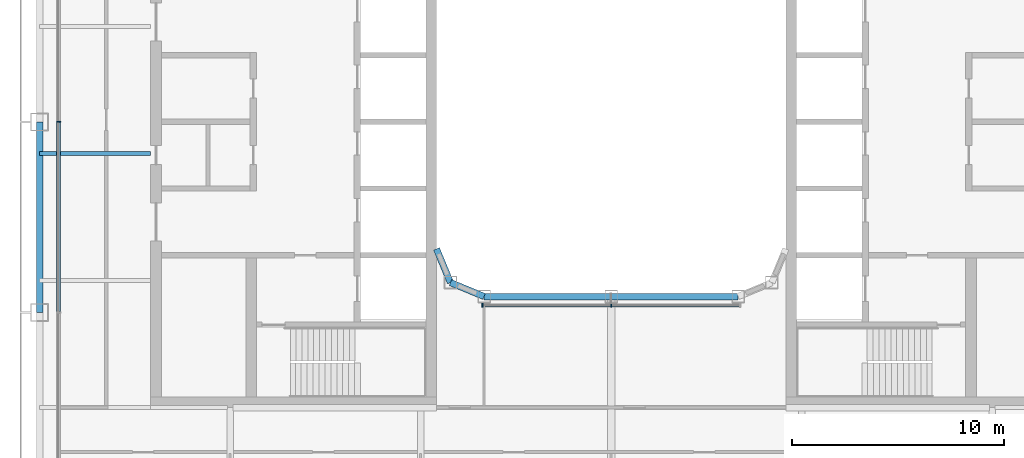
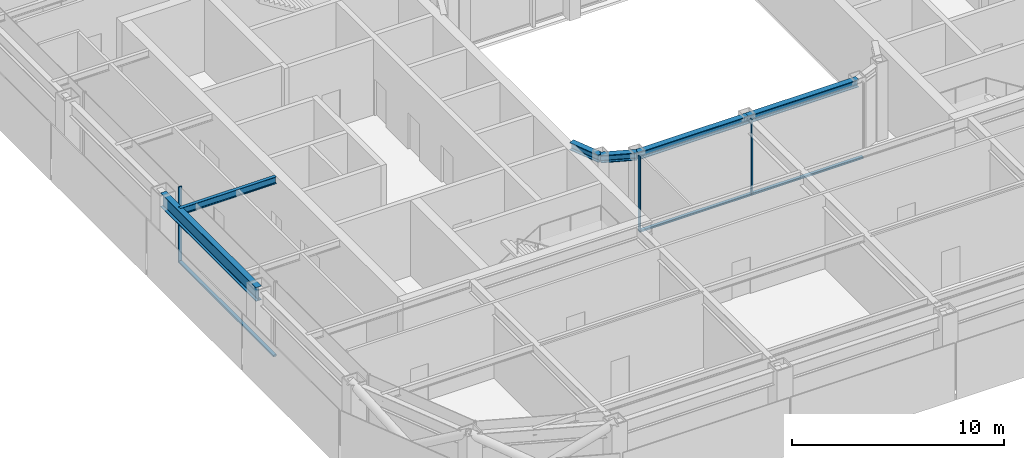
# One storey, part 3 of 22: 6 beams, 6 members, 2 elements without a shape of their own.
"""IFC4 building model written with IfcOpenShell, lengths in metres."""

from ifc_helpers import new_model, si_unit, direction, frame, origin, origin_2d, place, context, subcontext, project, spatial, rectangle, i_section, extrude, material, layer, layer_set, material_profile, profile_set, type_object, element, aggregate, save


model = new_model("IFC4")

# Units and contexts
model_context = context("Model", 3, precision=1e-05, world=origin(), true_north=direction((0.0, 1.0)))
body_context = subcontext(model_context, "Body", "Model", "MODEL_VIEW")
ifc_project = project(units=[si_unit("LENGTHUNIT", "METRE"), si_unit("AREAUNIT", "SQUARE_METRE"), si_unit("VOLUMEUNIT", "CUBIC_METRE"), si_unit("PLANEANGLEUNIT", "RADIAN"), si_unit("MASSUNIT", "GRAM", prefix="KILO")], contexts=[model_context])

# Site, building, storey
site_placement = place(None, origin())
site = spatial("IfcSite", under=ifc_project, at=site_placement, CompositionType="ELEMENT")
building_placement = place(site_placement, origin())
building = spatial("IfcBuilding", under=site, at=building_placement, Name="Siwar Civic Tower", CompositionType="ELEMENT")
storey_placement = place(building_placement, frame((0.0, 0.0, 201.699951171875)))
storey = spatial("IfcBuildingStorey", under=building, at=storey_placement, Name="L43", CompositionType="ELEMENT", Elevation=201.699951171875)

# Curtain wall, member
ifc_material_1 = material(Name="Aluminium and glass", Category="aluminium")
ifc_layer_1 = layer(ifc_material_1, 0.179931640625)
ifc_layer_set_1 = layer_set([ifc_layer_1], Name="Aluminium and glass")
curtain_wall_type_1 = type_object("IfcCurtainWallType", Name="ENV-CW-C", PredefinedType="NOTDEFINED", material=ifc_layer_set_1)
curtain_wall_1_placement = place(storey_placement, origin())
curtain_wall_1 = element("IfcCurtainWall", 1, at=curtain_wall_1_placement, inside=storey, type_object=curtain_wall_type_1, Name="Curtain wall C W", PredefinedType="NOTDEFINED")
ifc_material_2 = material(Name="Aluminium 6063-T6", Category="aluminium")
ifc_material_profile_1 = material_profile(ifc_material_2, rectangle(XDim=0.179931640625, YDim=0.06005859375, at=origin_2d()), Name="AL 180x60")
ifc_profile_set_1 = profile_set([ifc_material_profile_1], Name="Aluminium 6063-T6")
member_type_1 = type_object("IfcMemberType", Name="ENV-MULLION-C", PredefinedType="MULLION", material=ifc_profile_set_1)
member_1_placement = place(storey_placement, frame((-26.10009765625, 0.0, 0.0), z_axis=(0.0, 0.0, 1.0), x_axis=(1.0, 0.0, 0.0)))
member_1 = element("IfcMember", 2, at=member_1_placement, type_object=member_type_1, Name="Mullion C W 3", PredefinedType="MULLION", context=body_context, shape_type="SweptSolid", body=[
    extrude(rectangle(XDim=0.179931640625, YDim=0.06005859375, at=origin_2d()), origin(), (0.0, 0.0, 1.0), 4.35009765625),
])

# Curtain wall, members
ifc_material_3 = material(Name="Aluminium and glass", Category="aluminium")
ifc_layer_2 = layer(ifc_material_3, 0.179931640625)
ifc_layer_set_2 = layer_set([ifc_layer_2], Name="Aluminium and glass")
curtain_wall_type_2 = type_object("IfcCurtainWallType", Name="ENV-CW-W", PredefinedType="NOTDEFINED", material=ifc_layer_set_2)
curtain_wall_2_placement = place(storey_placement, origin())
curtain_wall_2 = element("IfcCurtainWall", 3, at=curtain_wall_2_placement, inside=storey, type_object=curtain_wall_type_2, Name="Curtain wall W WS", PredefinedType="NOTDEFINED")
ifc_material_4 = material(Name="Aluminium 6063-T6", Category="aluminium")
ifc_material_profile_2 = material_profile(ifc_material_4, rectangle(XDim=0.179931640625, YDim=0.06005859375, at=origin_2d()), Name="AL 180x60")
ifc_profile_set_2 = profile_set([ifc_material_profile_2], Name="Aluminium 6063-T6")
member_type_2 = type_object("IfcMemberType", Name="ENV-MULLION-W", PredefinedType="MULLION", material=ifc_profile_set_2)
member_2_placement = place(storey_placement, frame((-6.08154296875, -8.659912109375, 0.0), z_axis=(0.0, 0.0, 1.0), x_axis=(0.0, 1.0, 0.0)))
member_2 = element("IfcMember", 4, at=member_2_placement, type_object=member_type_2, Name="Mullion W WS 1", PredefinedType="MULLION", context=body_context, shape_type="SweptSolid", body=[
    extrude(rectangle(XDim=0.179931640625, YDim=0.06005859375, at=origin_2d()), origin(), (0.0, 0.0, 1.0), 4.35009765625),
])
member_3_placement = place(storey_placement, frame((0.0, -8.659912109375, 0.0), z_axis=(0.0, 0.0, 1.0), x_axis=(0.0, 1.0, 0.0)))
member_3 = element("IfcMember", 5, at=member_3_placement, type_object=member_type_2, Name="Mullion W WS 2", PredefinedType="MULLION", context=body_context, shape_type="SweptSolid", body=[
    extrude(rectangle(XDim=0.179931640625, YDim=0.06005859375, at=origin_2d()), origin(), (0.0, 0.0, 1.0), 4.35009765625),
])

# Member
ifc_material_5 = material(Name="Aluminium 6063-T6", Category="aluminium")
ifc_material_profile_3 = material_profile(ifc_material_5, rectangle(XDim=0.179931640625, YDim=0.10009765625, at=origin_2d()), Name="AL 180x100")
ifc_profile_set_3 = profile_set([ifc_material_profile_3], Name="Aluminium 6063-T6")
member_type_3 = type_object("IfcMemberType", Name="ENV-TRANSOM-C", PredefinedType="USERDEFINED", material=ifc_profile_set_3)
member_4_placement = place(storey_placement, frame((-26.10009765625, -0.030029296875, 0.050048828125), z_axis=(0.0, -1.0, 0.0), x_axis=(1.0, 0.0, 0.0)))
member_4 = element("IfcMember", 6, at=member_4_placement, type_object=member_type_3, Name="Transom C W 3", ObjectType="TRANSOM", PredefinedType="USERDEFINED", context=body_context, shape_type="SweptSolid", body=[
    extrude(rectangle(XDim=0.179931640625, YDim=0.10009765625, at=origin_2d()), origin(), (0.0, 0.0, 1.0), 8.93994140625),
])

aggregate(curtain_wall_1, [member_1, member_4])

ifc_material_6 = material(Name="Aluminium 6063-T6", Category="aluminium")
ifc_material_profile_4 = material_profile(ifc_material_6, rectangle(XDim=0.179931640625, YDim=0.10009765625, at=origin_2d()), Name="AL 180x100")
ifc_profile_set_4 = profile_set([ifc_material_profile_4], Name="Aluminium 6063-T6")
member_type_4 = type_object("IfcMemberType", Name="ENV-TRANSOM-W", PredefinedType="USERDEFINED", material=ifc_profile_set_4)
member_5_placement = place(storey_placement, frame((-6.051513671875, -8.659912109375, 0.050048828125), z_axis=(1.0, 0.0, 0.0), x_axis=(0.0, 1.0, 0.0)))
member_5 = element("IfcMember", 7, at=member_5_placement, type_object=member_type_4, Name="Transom W WS 1", ObjectType="TRANSOM", PredefinedType="USERDEFINED", context=body_context, shape_type="SweptSolid", body=[
    extrude(rectangle(XDim=0.179931640625, YDim=0.10009765625, at=origin_2d()), origin(), (0.0, 0.0, 1.0), 6.021484375),
])

member_6_placement = place(storey_placement, frame((0.030029296875, -8.659912109375, 0.050048828125), z_axis=(1.0, 0.0, 0.0), x_axis=(0.0, 1.0, 0.0)))
member_6 = element("IfcMember", 8, at=member_6_placement, type_object=member_type_4, Name="Transom W WS 2", ObjectType="TRANSOM", PredefinedType="USERDEFINED", context=body_context, shape_type="SweptSolid", body=[
    extrude(rectangle(XDim=0.179931640625, YDim=0.10009765625, at=origin_2d()), origin(), (0.0, 0.0, 1.0), 6.021484375),
])

aggregate(curtain_wall_2, [member_2, member_3, member_5, member_6])

# Beams
ifc_material_7 = material(Name="Steel S355", Category="steel")
ifc_material_profile_5 = material_profile(ifc_material_7, i_section(OverallWidth=0.179931640625, OverallDepth=0.39990234375, WebThickness=0.008544921875, FlangeThickness=0.013427734375, FilletRadius=0.02099609375, at=origin_2d()), Name="IPE400")
ifc_profile_set_5 = profile_set([ifc_material_profile_5], Name="Steel S355")
beam_type_1 = type_object("IfcBeamType", Name="STR-FB-IPE400", PredefinedType="JOIST", material=ifc_profile_set_5)
beam_1_placement = place(storey_placement, frame((-27.0, -1.5, 4.150146484375), z_axis=(1.0, 0.0, 0.0), x_axis=(0.0, 1.0, 0.0)))
element("IfcBeam", 9, at=beam_1_placement, inside=storey, type_object=beam_type_1, Name="L43/bm/F023", PredefinedType="JOIST", context=body_context, shape_type="SweptSolid", body=[
    extrude(i_section(OverallWidth=0.179931640625, OverallDepth=0.39990234375, WebThickness=0.008544921875, FlangeThickness=0.013427734375, FilletRadius=0.02099609375, at=origin_2d()), origin(), (0.0, 0.0, 1.0), 5.25),
])
ifc_material_8 = material(Name="Steel S355", Category="steel")
ifc_material_profile_6 = material_profile(ifc_material_8, i_section(OverallWidth=0.306884765625, OverallDepth=0.431884765625, WebThickness=0.02099609375, FlangeThickness=0.0400390625, FilletRadius=0.027099609375, at=origin_2d()), Name="HEM400")
ifc_profile_set_6 = profile_set([ifc_material_profile_6], Name="Steel S355")
beam_type_2 = type_object("IfcBeamType", Name="STR-RB-HEM400", PredefinedType="BEAM", material=ifc_profile_set_6)
beam_2_placement = place(storey_placement, frame((-7.591064453125, -7.591064453125, 4.134033203125), z_axis=(0.923901072997, -0.382631424892, 0.0), x_axis=(0.382631424892, 0.923901072997, 0.0)))
element("IfcBeam", 10, at=beam_2_placement, inside=storey, type_object=beam_type_2, Name="L43/bm/RS0", PredefinedType="BEAM", context=body_context, shape_type="SweptSolid", body=[
    extrude(i_section(OverallWidth=0.306884765625, OverallDepth=0.431884765625, WebThickness=0.02099609375, FlangeThickness=0.0400390625, FilletRadius=0.027099609375, at=origin_2d()), origin(), (0.0, 0.0, 1.0), 1.72216796875),
])
for number, where, z_axis, x_axis, name in (
    (11, (-6.0, -8.25, 4.134033203125), (1.0, 0.0, 0.0), (0.0, 1.0, 0.0), "L43/bm/RS1"),
    (12, (0.0, -8.25, 4.134033203125), (1.0, 0.0, 0.0), (0.0, 1.0, 0.0), "L43/bm/RS2"),
):
    element("IfcBeam", number, at=place(storey_placement, frame(where, z_axis=z_axis, x_axis=x_axis)), inside=storey, type_object=beam_type_2, Name=name, PredefinedType="BEAM", context=body_context, shape_type="SweptSolid", body=[
        extrude(i_section(OverallWidth=0.306884765625, OverallDepth=0.431884765625, WebThickness=0.02099609375, FlangeThickness=0.0400390625, FilletRadius=0.027099609375, at=origin_2d()), origin(), (0.0, 0.0, 1.0), 6.0),
    ])
beam_3_placement = place(storey_placement, frame((-7.591064453125, -7.591064453125, 4.134033203125), z_axis=(-0.382631424892, 0.923901072997, 0.0), x_axis=(-0.923901072997, -0.382631424892, 0.0)))
element("IfcBeam", 13, at=beam_3_placement, inside=storey, type_object=beam_type_2, Name="L43/bm/RSEW", PredefinedType="BEAM", context=body_context, shape_type="SweptSolid", body=[
    extrude(i_section(OverallWidth=0.306884765625, OverallDepth=0.431884765625, WebThickness=0.02099609375, FlangeThickness=0.0400390625, FilletRadius=0.027099609375, at=origin_2d()), origin(), (0.0, 0.0, 1.0), 1.72216796875),
])
ifc_material_9 = material(Name="Steel S355", Category="steel")
ifc_material_profile_7 = material_profile(ifc_material_9, i_section(OverallWidth=0.300048828125, OverallDepth=0.800048828125, WebThickness=0.017578125, FlangeThickness=0.032958984375, FilletRadius=0.030029296875, at=origin_2d()), Name="HEB800")
ifc_profile_set_7 = profile_set([ifc_material_profile_7], Name="Steel S355")
beam_type_3 = type_object("IfcBeamType", Name="STR-SB-HEB800", PredefinedType="BEAM", material=ifc_profile_set_7)
beam_4_placement = place(storey_placement, frame((-27.0, 0.0, 3.949951171875), z_axis=(0.0, -1.0, 0.0), x_axis=(1.0, 0.0, 0.0)))
element("IfcBeam", 14, at=beam_4_placement, inside=storey, type_object=beam_type_3, Name="L43/bm/SW-2", PredefinedType="BEAM", context=body_context, shape_type="SweptSolid", body=[
    extrude(i_section(OverallWidth=0.300048828125, OverallDepth=0.800048828125, WebThickness=0.017578125, FlangeThickness=0.032958984375, FilletRadius=0.030029296875, at=origin_2d()), origin(), (0.0, 0.0, 1.0), 9.0),
])

save(model, "model.ifc")
